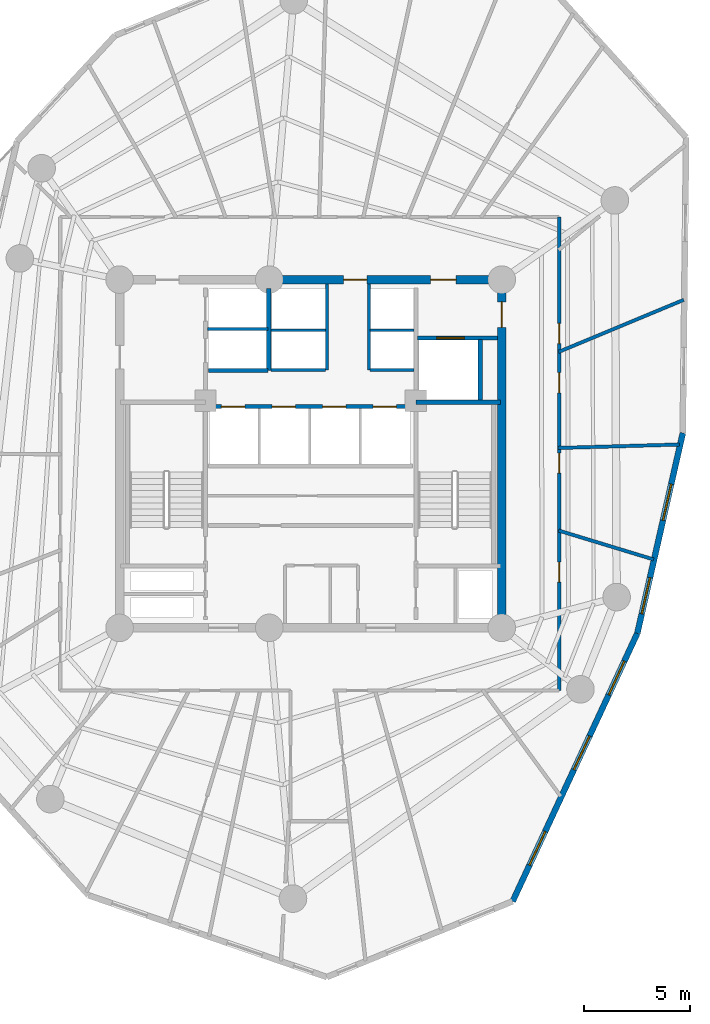
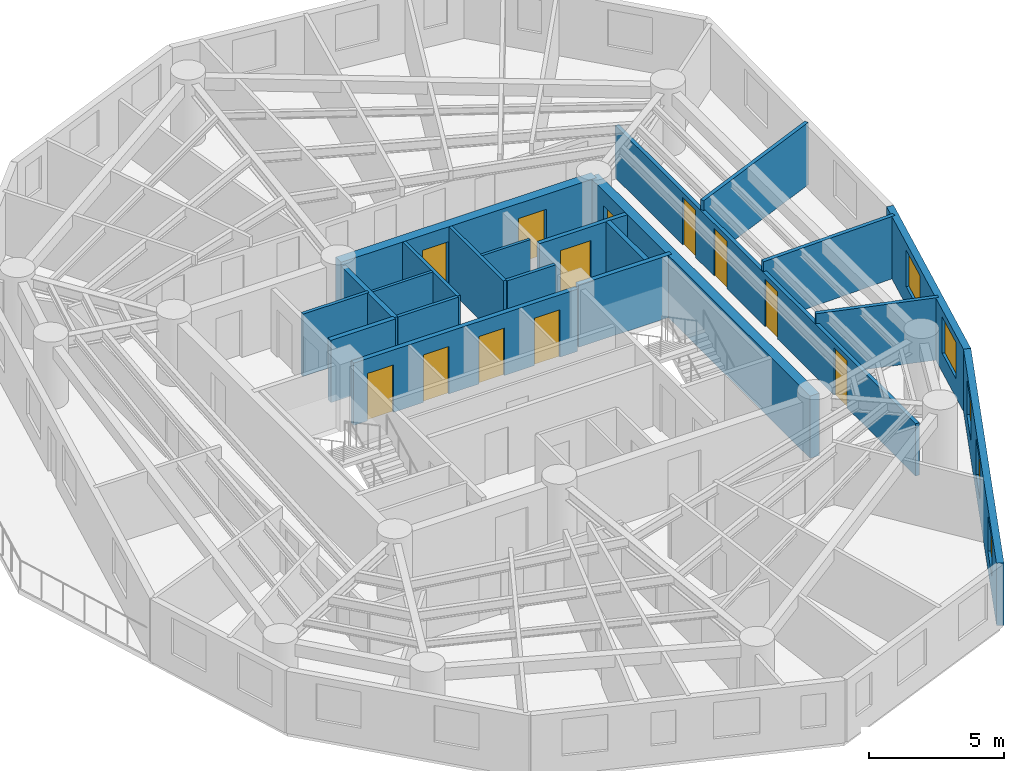
# One storey, part 5 of 9: 21 walls, 12 doors, 5 windows, 17 openings.
"""IFC4 building model written with IfcOpenShell, lengths in metres."""

from ifc_helpers import new_model, si_unit, direction, frame, frame_2d, origin, origin_with_axes, place, context, subcontext, project, spatial, rectangle, extrude, source, transform, mapped, material, layer, layer_set, type_object, element, fill, save


model = new_model("IFC4")

# Units and contexts
model_context = context("Model", 3, precision=1e-05, world=origin(), true_north=direction((0.0, 1.0)))
body_context = subcontext(model_context, "Body", "Model", "MODEL_VIEW")
ifc_project = project(units=[si_unit("LENGTHUNIT", "METRE"), si_unit("AREAUNIT", "SQUARE_METRE"), si_unit("VOLUMEUNIT", "CUBIC_METRE"), si_unit("PLANEANGLEUNIT", "RADIAN"), si_unit("MASSUNIT", "GRAM", prefix="KILO")], contexts=[model_context])

# Site, building, storey
site_placement = place(None, origin())
site = spatial("IfcSite", under=ifc_project, at=site_placement, CompositionType="ELEMENT")
building_placement = place(site_placement, origin())
building = spatial("IfcBuilding", under=site, at=building_placement, Name="Karkom Vertical University and Central Library", CompositionType="ELEMENT")
storey_placement = place(building_placement, frame((0.0, 0.0, 156.550048828125)))
storey = spatial("IfcBuildingStorey", under=building, at=storey_placement, Name="L44", CompositionType="ELEMENT", Elevation=156.550048828125)

# Wall, openings, windows
ifc_material_1 = material(Name="Brick-faced precast concrete C45/55", Category="masonry")
ifc_layer_1 = layer(ifc_material_1, 0.280029296875)
ifc_layer_set_1 = layer_set([ifc_layer_1], Name="Brick-faced precast concrete C45/55")
wall_type_1 = type_object("IfcWallType", Name="ENV-WL-BRK-280", PredefinedType="SOLIDWALL", material=ifc_layer_set_1)
wall_1_placement = place(storey_placement, frame((38.01171875, 5.41748046875, 0.0), z_axis=(0.0, 0.0, 1.0), x_axis=(0.421677791248, 0.906745741853, 0.0)))
wall_1 = element("IfcWall", 1, at=wall_1_placement, inside=storey, type_object=wall_type_1, Name="Level 44 Brick-Faced Precast Facade Wall 05", PredefinedType="SOLIDWALL", context=body_context, shape_type="SweptSolid", body=[
    extrude(rectangle(XDim=13.9267578125, YDim=0.280029296875, at=frame_2d((6.96337890625, 0.0))), origin(), (0.0, 0.0, 1.0), 2.824951171875),
])
opening_1_placement = place(wall_1_placement, frame((1.88427734375, 0.0, 0.85009765625)))
opening_1 = element("IfcOpeningElement", 2, at=opening_1_placement, cuts=wall_1, Name="Opening WN-08", PredefinedType="OPENING", context=body_context, shape_type="SweptSolid", body=[
    extrude(rectangle(XDim=1.75, YDim=1.64990234375, at=frame_2d((0.875, 0.824951171875))), frame((0.0, 0.14990234375, 0.0), z_axis=(0.0, -1.0, 0.0), x_axis=(1.0, 0.0, 0.0)), (0.0, 0.0, 1.0), 0.300048828125),
])
opening_2_placement = place(wall_1_placement, frame((6.845703125, 0.0, 0.85009765625)))
opening_2 = element("IfcOpeningElement", 3, at=opening_2_placement, cuts=wall_1, Name="Opening WN-08", PredefinedType="OPENING", context=body_context, shape_type="SweptSolid", body=[
    extrude(rectangle(XDim=1.75, YDim=1.64990234375, at=frame_2d((0.875, 0.824951171875))), frame((0.0, 0.14990234375, 0.0), z_axis=(0.0, -1.0, 0.0), x_axis=(1.0, 0.0, 0.0)), (0.0, 0.0, 1.0), 0.300048828125),
])
opening_3_placement = place(wall_1_placement, frame((10.7294921875, 0.0, 0.85009765625)))
opening_3 = element("IfcOpeningElement", 4, at=opening_3_placement, cuts=wall_1, Name="Opening WN-08", PredefinedType="OPENING", context=body_context, shape_type="SweptSolid", body=[
    extrude(rectangle(XDim=1.75, YDim=1.64990234375, at=frame_2d((0.875, 0.824951171875))), frame((0.0, 0.14990234375, 0.0), z_axis=(0.0, -1.0, 0.0), x_axis=(1.0, 0.0, 0.0)), (0.0, 0.0, 1.0), 0.300048828125),
])
ifc_material_2 = material(Name="Aluminium thermal-break frame with solar-control IGU", Category="aluminium")
window_type = type_object("IfcWindowType", Name="ENV-WIN-WN-08", PartitioningType="SINGLE_PANEL", PredefinedType="WINDOW", material=ifc_material_2)
shared_shape_1 = source(origin_with_axes(), body_context, "Body", "SweptSolid", [
    extrude(rectangle(XDim=1.75, YDim=1.64990234375, at=frame_2d((0.875, 0.824951171875))), frame((0.0, 0.030029296875, 0.0), z_axis=(0.0, -1.0, 0.0), x_axis=(1.0, 0.0, 0.0)), (0.0, 0.0, 1.0), 0.06005859375),
])
window_1_placement = place(opening_1_placement, origin())
window_1 = element("IfcWindow", 5, at=window_1_placement, inside=storey, type_object=window_type, Name="Level 44 Punched Window 5.1", OverallHeight=1.64990234375, OverallWidth=1.75, PartitioningType="SINGLE_PANEL", PredefinedType="WINDOW", context=body_context, shape_type="MappedRepresentation", body=[
    mapped(shared_shape_1, transform((0.0, 0.0, 0.0), scale=1.0)),
])
fill(opening_1, window_1)
window_2_placement = place(opening_2_placement, origin())
window_2 = element("IfcWindow", 6, at=window_2_placement, inside=storey, type_object=window_type, Name="Level 44 Punched Window 5.2", OverallHeight=1.64990234375, OverallWidth=1.75, PartitioningType="SINGLE_PANEL", PredefinedType="WINDOW", context=body_context, shape_type="MappedRepresentation", body=[
    mapped(shared_shape_1, transform((0.0, 0.0, 0.0), scale=1.0)),
])
fill(opening_2, window_2)
window_3_placement = place(opening_3_placement, origin())
window_3 = element("IfcWindow", 7, at=window_3_placement, inside=storey, type_object=window_type, Name="Level 44 Punched Window 5.3", OverallHeight=1.64990234375, OverallWidth=1.75, PartitioningType="SINGLE_PANEL", PredefinedType="WINDOW", context=body_context, shape_type="MappedRepresentation", body=[
    mapped(shared_shape_1, transform((0.0, 0.0, 0.0), scale=1.0)),
])
fill(opening_3, window_3)

wall_2_placement = place(storey_placement, frame((43.88427734375, 18.04541015625, 0.0), z_axis=(0.0, 0.0, 1.0), x_axis=(0.221543643077, 0.975150457218, 0.0)))
wall_2 = element("IfcWall", 8, at=wall_2_placement, inside=storey, type_object=wall_type_1, Name="Level 44 Brick-Faced Precast Facade Wall 06", PredefinedType="SOLIDWALL", context=body_context, shape_type="SweptSolid", body=[
    extrude(rectangle(XDim=9.672119140625, YDim=0.280029296875, at=frame_2d((4.8359375, 0.0))), origin(), (0.0, 0.0, 1.0), 2.824951171875),
])
opening_4_placement = place(wall_2_placement, frame((0.935791015625, 0.0, 0.85009765625)))
opening_4 = element("IfcOpeningElement", 9, at=opening_4_placement, cuts=wall_2, Name="Opening WN-08", PredefinedType="OPENING", context=body_context, shape_type="SweptSolid", body=[
    extrude(rectangle(XDim=1.75, YDim=1.64990234375, at=frame_2d((0.875, 0.824951171875))), frame((0.0, 0.14990234375, 0.0), z_axis=(0.0, -1.0, 0.0), x_axis=(1.0, 0.0, 0.0)), (0.0, 0.0, 1.0), 0.300048828125),
])
opening_5_placement = place(wall_2_placement, frame((5.456298828125, 0.0, 0.85009765625)))
opening_5 = element("IfcOpeningElement", 10, at=opening_5_placement, cuts=wall_2, Name="Opening WN-08", PredefinedType="OPENING", context=body_context, shape_type="SweptSolid", body=[
    extrude(rectangle(XDim=1.75, YDim=1.64990234375, at=frame_2d((0.875, 0.824951171875))), frame((0.0, 0.14990234375, 0.0), z_axis=(0.0, -1.0, 0.0), x_axis=(1.0, 0.0, 0.0)), (0.0, 0.0, 1.0), 0.300048828125),
])
window_4_placement = place(opening_4_placement, origin())
window_4 = element("IfcWindow", 11, at=window_4_placement, inside=storey, type_object=window_type, Name="Level 44 Punched Window 6.1", OverallHeight=1.64990234375, OverallWidth=1.75, PartitioningType="SINGLE_PANEL", PredefinedType="WINDOW", context=body_context, shape_type="MappedRepresentation", body=[
    mapped(shared_shape_1, transform((0.0, 0.0, 0.0), scale=1.0)),
])
fill(opening_4, window_4)
window_5_placement = place(opening_5_placement, origin())
window_5 = element("IfcWindow", 12, at=window_5_placement, inside=storey, type_object=window_type, Name="Level 44 Punched Window 6.2", OverallHeight=1.64990234375, OverallWidth=1.75, PartitioningType="SINGLE_PANEL", PredefinedType="WINDOW", context=body_context, shape_type="MappedRepresentation", body=[
    mapped(shared_shape_1, transform((0.0, 0.0, 0.0), scale=1.0)),
])
fill(opening_5, window_5)

# Wall, openings, doors
ifc_material_3 = material(Name="Insulated metal-stud drywall 160mm", Category="gypsum")
ifc_layer_2 = layer(ifc_material_3, 0.159912109375)
ifc_layer_set_2 = layer_set([ifc_layer_2], Name="Insulated metal-stud drywall 160mm")
wall_type_2 = type_object("IfcWallType", Name="INT-WL-COR-160", PredefinedType="PARTITIONING", material=ifc_layer_set_2)
wall_3_placement = place(storey_placement, frame((40.199951171875, 37.64990234375, 0.0), z_axis=(0.0, 0.0, 1.0), x_axis=(0.0, -1.0, 0.0)))
wall_3 = element("IfcWall", 13, at=wall_3_placement, inside=storey, type_object=wall_type_2, Name="Level 44 Interior Partition Wall L44-CORW-CW-004", PredefinedType="PARTITIONING", context=body_context, shape_type="SweptSolid", body=[
    extrude(rectangle(XDim=22.2998046875, YDim=0.159912109375, at=frame_2d((11.14990234375, 0.0))), origin(), (0.0, 0.0, 1.0), 2.375),
])
opening_6_placement = place(wall_3_placement, frame((16.25, 0.0, 0.0)))
opening_6 = element("IfcOpeningElement", 14, at=opening_6_placement, cuts=wall_3, Name="Opening D-RM1", PredefinedType="OPENING", context=body_context, shape_type="SweptSolid", body=[
    extrude(rectangle(XDim=0.949951171875, YDim=2.14990234375, at=frame_2d((0.47509765625, 1.074951171875))), frame((0.0, 0.08984375, 0.0), z_axis=(0.0, -1.0, 0.0), x_axis=(1.0, 0.0, 0.0)), (0.0, 0.0, 1.0), 0.179931640625),
])
opening_7_placement = place(wall_3_placement, frame((11.114990234375, 0.0, 0.0)))
opening_7 = element("IfcOpeningElement", 15, at=opening_7_placement, cuts=wall_3, Name="Opening D-RM1", PredefinedType="OPENING", context=body_context, shape_type="SweptSolid", body=[
    extrude(rectangle(XDim=0.949951171875, YDim=2.14990234375, at=frame_2d((0.47509765625, 1.074951171875))), frame((0.0, 0.08984375, 0.0), z_axis=(0.0, -1.0, 0.0), x_axis=(1.0, 0.0, 0.0)), (0.0, 0.0, 1.0), 0.179931640625),
])
opening_8_placement = place(wall_3_placement, frame((7.330078125, 0.0, 0.0)))
opening_8 = element("IfcOpeningElement", 16, at=opening_8_placement, cuts=wall_3, Name="Opening D-RM1", PredefinedType="OPENING", context=body_context, shape_type="SweptSolid", body=[
    extrude(rectangle(XDim=0.949951171875, YDim=2.14990234375, at=frame_2d((0.47509765625, 1.074951171875))), frame((0.0, 0.08984375, 0.0), z_axis=(0.0, -1.0, 0.0), x_axis=(1.0, 0.0, 0.0)), (0.0, 0.0, 1.0), 0.179931640625),
])
opening_9_placement = place(wall_3_placement, frame((5.010009765625, 0.0, 0.0)))
opening_9 = element("IfcOpeningElement", 17, at=opening_9_placement, cuts=wall_3, Name="Opening D-RM1", PredefinedType="OPENING", context=body_context, shape_type="SweptSolid", body=[
    extrude(rectangle(XDim=0.949951171875, YDim=2.14990234375, at=frame_2d((0.47509765625, 1.074951171875))), frame((0.0, 0.08984375, 0.0), z_axis=(0.0, -1.0, 0.0), x_axis=(1.0, 0.0, 0.0)), (0.0, 0.0, 1.0), 0.179931640625),
])
ifc_material_4 = material(Name="Solid-core oak veneer door", Category="wood")
door_type_1 = type_object("IfcDoorType", Name="INT-DR-RM1", OperationType="NOTDEFINED", PredefinedType="DOOR", material=ifc_material_4)
shared_shape_2 = source(origin_with_axes(), body_context, "Body", "SweptSolid", [
    extrude(rectangle(XDim=0.949951171875, YDim=2.14990234375, at=frame_2d((0.47509765625, 1.074951171875))), frame((0.0, 0.02490234375, 0.0), z_axis=(0.0, -1.0, 0.0), x_axis=(1.0, 0.0, 0.0)), (0.0, 0.0, 1.0), 0.050048828125),
])
door_1_placement = place(opening_6_placement, origin())
door_1 = element("IfcDoor", 18, at=door_1_placement, inside=storey, type_object=door_type_1, Name="Level 44 Room Entry Door 100", OperationType="SINGLE_SWING_RIGHT", OverallHeight=2.14990234375, OverallWidth=0.949951171875, PredefinedType="DOOR", context=body_context, shape_type="MappedRepresentation", body=[
    mapped(shared_shape_2, transform((0.0, 0.0, 0.0), scale=1.0)),
])
fill(opening_6, door_1)
door_2_placement = place(opening_7_placement, origin())
door_2 = element("IfcDoor", 19, at=door_2_placement, inside=storey, type_object=door_type_1, Name="Level 44 Room Entry Door 110", OperationType="SINGLE_SWING_LEFT", OverallHeight=2.14990234375, OverallWidth=0.949951171875, PredefinedType="DOOR", context=body_context, shape_type="MappedRepresentation", body=[
    mapped(shared_shape_2, transform((0.0, 0.0, 0.0), scale=1.0)),
])
fill(opening_7, door_2)
door_3_placement = place(opening_8_placement, origin())
door_3 = element("IfcDoor", 20, at=door_3_placement, inside=storey, type_object=door_type_1, Name="Level 44 Room Entry Door 120", OperationType="SINGLE_SWING_RIGHT", OverallHeight=2.14990234375, OverallWidth=0.949951171875, PredefinedType="DOOR", context=body_context, shape_type="MappedRepresentation", body=[
    mapped(shared_shape_2, transform((0.0, 0.0, 0.0), scale=1.0)),
])
fill(opening_8, door_3)
door_4_placement = place(opening_9_placement, origin())
door_4 = element("IfcDoor", 21, at=door_4_placement, inside=storey, type_object=door_type_1, Name="Level 44 Room Entry Door 130", OperationType="SINGLE_SWING_LEFT", OverallHeight=2.14990234375, OverallWidth=0.949951171875, PredefinedType="DOOR", context=body_context, shape_type="MappedRepresentation", body=[
    mapped(shared_shape_2, transform((0.0, 0.0, 0.0), scale=1.0)),
])
fill(opening_9, door_4)

# Walls
wall_4_placement = place(storey_placement, frame((40.17236328125, 31.293212890625, 0.0), z_axis=(0.0, 0.0, 1.0), x_axis=(0.923236300971, 0.38423265422, 0.0)))
element("IfcWall", 22, at=wall_4_placement, inside=storey, type_object=wall_type_2, Name="Level 44 Interior Partition Wall L44-PW-015", PredefinedType="PARTITIONING", context=body_context, shape_type="SweptSolid", body=[
    extrude(rectangle(XDim=6.386962890625, YDim=0.159912109375, at=frame_2d((3.193359375, 0.0))), origin(), (0.0, 0.0, 1.0), 2.824951171875),
])
wall_5_placement = place(storey_placement, frame((40.155029296875, 26.771484375, 0.0), z_axis=(0.0, 0.0, 1.0), x_axis=(0.999595142598, 0.028452607866, 0.0)))
element("IfcWall", 23, at=wall_5_placement, inside=storey, type_object=wall_type_2, Name="Level 44 Interior Partition Wall L44-PW-014", PredefinedType="PARTITIONING", context=body_context, shape_type="SweptSolid", body=[
    extrude(rectangle(XDim=5.72314453125, YDim=0.159912109375, at=frame_2d((2.861572265625, 0.0))), origin(), (0.0, 0.0, 1.0), 2.824951171875),
])
wall_6_placement = place(storey_placement, frame((40.17138671875, 22.884765625, 0.0), z_axis=(0.0, 0.0, 1.0), x_axis=(0.956656819461, -0.291217667352, 0.0)))
element("IfcWall", 24, at=wall_6_placement, inside=storey, type_object=wall_type_2, Name="Level 44 Interior Partition Wall L44-PW-013", PredefinedType="PARTITIONING", context=body_context, shape_type="SweptSolid", body=[
    extrude(rectangle(XDim=4.6796875, YDim=0.159912109375, at=frame_2d((2.33984375, 0.0))), origin(), (0.0, 0.0, 1.0), 2.824951171875),
])
ifc_material_5 = material(Name="Moisture-resistant drywall 120mm", Category="gypsum")
ifc_layer_3 = layer(ifc_material_5, 0.1201171875)
ifc_layer_set_3 = layer_set([ifc_layer_3], Name="Moisture-resistant drywall 120mm")
wall_type_3 = type_object("IfcWallType", Name="INT-WL-INT-120H", PredefinedType="PARTITIONING", material=ifc_layer_set_3)
wall_7_placement = place(storey_placement, frame((26.6201171875, 32.320068359375, 0.0), z_axis=(0.0, 0.0, 1.0), x_axis=(1.0, 0.0, 0.0)))
element("IfcWall", 25, at=wall_7_placement, inside=storey, type_object=wall_type_3, Name="Level 44 Interior Partition Wall L44-CW-PH-MW", PredefinedType="PARTITIONING", context=body_context, shape_type="SweptSolid", body=[
    extrude(rectangle(XDim=2.579833984375, YDim=0.1201171875, at=frame_2d((1.2900390625, 0.0))), origin(), (0.0, 0.0, 1.0), 2.824951171875),
])
wall_8_placement = place(storey_placement, frame((31.300048828125, 32.320068359375, 0.0), z_axis=(0.0, 0.0, 1.0), x_axis=(1.0, 0.0, 0.0)))
element("IfcWall", 26, at=wall_8_placement, inside=storey, type_object=wall_type_3, Name="Level 44 Interior Partition Wall L44-CW-PH-ME", PredefinedType="PARTITIONING", context=body_context, shape_type="SweptSolid", body=[
    extrude(rectangle(XDim=2.074951171875, YDim=0.1201171875, at=frame_2d((1.03759765625, 0.0))), origin(), (0.0, 0.0, 1.0), 2.824951171875),
])
ifc_material_6 = material(Name="Metal-stud gypsum partition 140mm", Category="gypsum")
ifc_layer_4 = layer(ifc_material_6, 0.139892578125)
ifc_layer_set_4 = layer_set([ifc_layer_4], Name="Metal-stud gypsum partition 140mm")
wall_type_4 = type_object("IfcWallType", Name="INT-WL-SUB-140H", PredefinedType="PARTITIONING", material=ifc_layer_set_4)
for number, where, z_axis, x_axis, name in (
    (27, (29.260009765625, 30.449951171875, 0.0), (0.0, 0.0, 1.0), (0.0, 1.0, 0.0), "Level 44 Interior Partition Wall L44-CW-PH-W"),
    (28, (31.239990234375, 30.449951171875, 0.0), (0.0, 0.0, 1.0), (0.0, 1.0, 0.0), "Level 44 Interior Partition Wall L44-CW-PH-E"),
):
    element("IfcWall", number, at=place(storey_placement, frame(where, z_axis=z_axis, x_axis=x_axis)), inside=storey, type_object=wall_type_4, Name=name, PredefinedType="PARTITIONING", context=body_context, shape_type="SweptSolid", body=[
        extrude(rectangle(XDim=4.04296875, YDim=0.139892578125, at=frame_2d((2.021484375, 0.0))), origin(), (0.0, 0.0, 1.0), 2.824951171875),
    ])
wall_9_placement = place(storey_placement, frame((26.6201171875, 30.449951171875, 0.0), z_axis=(0.0, 0.0, 1.0), x_axis=(1.0, 0.0, 0.0)))
element("IfcWall", 29, at=wall_9_placement, inside=storey, type_object=wall_type_4, Name="Level 44 Interior Partition Wall L44-CW-PH-S1", PredefinedType="PARTITIONING", context=body_context, shape_type="SweptSolid", body=[
    extrude(rectangle(XDim=2.579833984375, YDim=0.139892578125, at=frame_2d((1.2900390625, 0.0))), origin(), (0.0, 0.0, 1.0), 2.824951171875),
])
wall_10_placement = place(storey_placement, frame((31.300048828125, 30.449951171875, 0.0), z_axis=(0.0, 0.0, 1.0), x_axis=(1.0, 0.0, 0.0)))
element("IfcWall", 30, at=wall_10_placement, inside=storey, type_object=wall_type_4, Name="Level 44 Interior Partition Wall L44-CW-PH-S2", PredefinedType="PARTITIONING", context=body_context, shape_type="SweptSolid", body=[
    extrude(rectangle(XDim=2.074951171875, YDim=0.139892578125, at=frame_2d((1.03759765625, 0.0))), origin(), (0.0, 0.0, 1.0), 2.824951171875),
])
ifc_layer_5 = layer(ifc_material_6, 0.139892578125)
ifc_layer_set_5 = layer_set([ifc_layer_5], Name="Metal-stud gypsum partition 140mm")
wall_type_5 = type_object("IfcWallType", Name="INT-WL-SUB-140X", PredefinedType="PARTITIONING", material=ifc_layer_set_5)
wall_11_placement = place(storey_placement, frame((23.652099609375, 32.3701171875, 0.0), z_axis=(0.0, 0.0, 1.0), x_axis=(1.0, 0.0, 0.0)))
element("IfcWall", 31, at=wall_11_placement, inside=storey, type_object=wall_type_5, Name="Level 44 Interior Partition Wall L44-CW-FFL-M", PredefinedType="PARTITIONING", context=body_context, shape_type="SweptSolid", body=[
    extrude(rectangle(XDim=2.827880859375, YDim=0.139892578125, at=frame_2d((1.4140625, 0.0))), origin(), (0.0, 0.0, 1.0), 2.824951171875),
])

# Wall, opening, door
ifc_material_7 = material(Name="Twin-stud acoustic drywall 180mm", Category="gypsum")
ifc_layer_6 = layer(ifc_material_7, 0.179931640625)
ifc_layer_set_6 = layer_set([ifc_layer_6], Name="Twin-stud acoustic drywall 180mm")
wall_type_6 = type_object("IfcWallType", Name="INT-WL-TEN-180F", PredefinedType="PARTITIONING", material=ifc_layer_set_6)
wall_12_placement = place(storey_placement, frame((33.534912109375, 31.949951171875, 0.0), z_axis=(0.0, 0.0, 1.0), x_axis=(1.0, 0.0, 0.0)))
wall_12 = element("IfcWall", 32, at=wall_12_placement, inside=storey, type_object=wall_type_6, Name="Level 44 Interior Partition Wall L44-CW-SVL-N", PredefinedType="PARTITIONING", context=body_context, shape_type="SweptSolid", body=[
    extrude(rectangle(XDim=3.7587890625, YDim=0.179931640625, at=frame_2d((1.87939453125, 0.0))), origin(), (0.0, 0.0, 1.0), 2.824951171875),
])
opening_10_placement = place(wall_12_placement, frame((0.89990234375, 0.0, 0.0)))
opening_10 = element("IfcOpeningElement", 33, at=opening_10_placement, cuts=wall_12, Name="Opening LD-SV1", PredefinedType="OPENING", context=body_context, shape_type="SweptSolid", body=[
    extrude(rectangle(XDim=1.300048828125, YDim=2.199951171875, at=frame_2d((0.64990234375, 1.10009765625))), frame((0.0, 0.10009765625, 0.0), z_axis=(0.0, -1.0, 0.0), x_axis=(1.0, 0.0, 0.0)), (0.0, 0.0, 1.0), 0.199951171875),
])
ifc_material_8 = material(Name="Brushed stainless-steel landing door", Category="steel")
door_type_2 = type_object("IfcDoorType", Name="INT-DR-LD-SV1", OperationType="SLIDING_TO_LEFT", PredefinedType="DOOR", material=ifc_material_8)
shared_shape_3 = source(origin_with_axes(), body_context, "Body", "SweptSolid", [
    extrude(rectangle(XDim=1.300048828125, YDim=2.199951171875, at=frame_2d((0.64990234375, 1.10009765625))), frame((0.0, 0.02490234375, 0.0), z_axis=(0.0, -1.0, 0.0), x_axis=(1.0, 0.0, 0.0)), (0.0, 0.0, 1.0), 0.050048828125),
])
door_5_placement = place(opening_10_placement, origin())
door_5 = element("IfcDoor", 34, at=door_5_placement, inside=storey, type_object=door_type_2, Name="Level 44 Service Lift Landing Door LD-SV1", OperationType="SLIDING_TO_LEFT", OverallHeight=2.199951171875, OverallWidth=1.300048828125, PredefinedType="DOOR", context=body_context, shape_type="MappedRepresentation", body=[
    mapped(shared_shape_3, transform((0.0, 0.0, 0.0), scale=1.0)),
])
fill(opening_10, door_5)

ifc_material_9 = material(Name="Concrete C50/60", Category="concrete")
ifc_layer_7 = layer(ifc_material_9, 0.39990234375)
ifc_layer_set_7 = layer_set([ifc_layer_7], Name="Concrete C50/60")
wall_type_7 = type_object("IfcWallType", Name="STR-WL-CW-400", PredefinedType="SHEAR", material=ifc_layer_set_7)
wall_13_placement = place(storey_placement, frame((37.5, 18.300048828125, 0.0), z_axis=(0.0, 0.0, 1.0), x_axis=(0.0, 1.0, 0.0)))
wall_13 = element("IfcWall", 35, at=wall_13_placement, inside=storey, type_object=wall_type_7, Name="Level 44 Central Core Shear Wall EW", PredefinedType="SHEAR", context=body_context, shape_type="SweptSolid", body=[
    extrude(rectangle(XDim=16.39990234375, YDim=0.39990234375, at=frame_2d((8.199951171875, 0.0))), origin(), (0.0, 0.0, 1.0), 2.824951171875),
])
opening_11_placement = place(wall_13_placement, frame((14.14990234375, 0.0, 0.0)))
opening_11 = element("IfcOpeningElement", 36, at=opening_11_placement, cuts=wall_13, Name="Opening FD-SUB1", PredefinedType="OPENING", context=body_context, shape_type="SweptSolid", body=[
    extrude(rectangle(XDim=1.199951171875, YDim=2.14990234375, at=frame_2d((0.60009765625, 1.074951171875))), frame((0.0, 0.2099609375, 0.0), z_axis=(0.0, -1.0, 0.0), x_axis=(1.0, 0.0, 0.0)), (0.0, 0.0, 1.0), 0.419921875),
])
ifc_material_10 = material(Name="Painted steel fire door", Category="steel")
door_type_3 = type_object("IfcDoorType", Name="INT-DR-SUB1", OperationType="NOTDEFINED", PredefinedType="DOOR", material=ifc_material_10)
shared_shape_4 = source(origin_with_axes(), body_context, "Body", "SweptSolid", [
    extrude(rectangle(XDim=1.199951171875, YDim=2.14990234375, at=frame_2d((0.60009765625, 1.074951171875))), frame((0.0, 0.02490234375, 0.0), z_axis=(0.0, -1.0, 0.0), x_axis=(1.0, 0.0, 0.0)), (0.0, 0.0, 1.0), 0.050048828125),
])
door_6_placement = place(opening_11_placement, origin())
door_6 = element("IfcDoor", 37, at=door_6_placement, inside=storey, type_object=door_type_3, Name="Level 44 East Corridor Service Lobby Door", OperationType="SINGLE_SWING_LEFT", OverallHeight=2.14990234375, OverallWidth=1.199951171875, PredefinedType="DOOR", context=body_context, shape_type="MappedRepresentation", body=[
    mapped(shared_shape_4, transform((0.0, 0.0, 0.0), scale=1.0)),
])
fill(opening_11, door_6)

# Wall, openings, doors
wall_14_placement = place(storey_placement, frame((37.5, 34.699951171875, 0.0), z_axis=(0.0, 0.0, 1.0), x_axis=(-1.0, 0.0, 0.0)))
wall_14 = element("IfcWall", 38, at=wall_14_placement, inside=storey, type_object=wall_type_7, Name="Level 44 Central Core Shear Wall NW1", PredefinedType="SHEAR", context=body_context, shape_type="SweptSolid", body=[
    extrude(rectangle(XDim=10.949951171875, YDim=0.39990234375, at=frame_2d((5.47509765625, 0.0))), origin(), (0.0, 0.0, 1.0), 2.824951171875),
])
opening_12_placement = place(wall_14_placement, frame((2.14990234375, 0.0, 0.0)))
opening_12 = element("IfcOpeningElement", 39, at=opening_12_placement, cuts=wall_14, Name="Opening FD-SUB1", PredefinedType="OPENING", context=body_context, shape_type="SweptSolid", body=[
    extrude(rectangle(XDim=1.199951171875, YDim=2.14990234375, at=frame_2d((0.60009765625, 1.074951171875))), frame((0.0, 0.2099609375, 0.0), z_axis=(0.0, -1.0, 0.0), x_axis=(1.0, 0.0, 0.0)), (0.0, 0.0, 1.0), 0.419921875),
])
opening_13_placement = place(wall_14_placement, frame((6.35009765625, 0.0, 0.0)))
opening_13 = element("IfcOpeningElement", 40, at=opening_13_placement, cuts=wall_14, Name="Opening FD-FFL", PredefinedType="OPENING", context=body_context, shape_type="SweptSolid", body=[
    extrude(rectangle(XDim=1.10009765625, YDim=2.14990234375, at=frame_2d((0.550048828125, 1.074951171875))), frame((0.0, 0.2099609375, 0.0), z_axis=(0.0, -1.0, 0.0), x_axis=(1.0, 0.0, 0.0)), (0.0, 0.0, 1.0), 0.419921875),
])
ifc_material_11 = material(Name="Painted steel smoke-seal fire door", Category="steel")
door_type_4 = type_object("IfcDoorType", Name="INT-DR-FFL", OperationType="NOTDEFINED", PredefinedType="DOOR", material=ifc_material_11)
shared_shape_5 = source(origin_with_axes(), body_context, "Body", "SweptSolid", [
    extrude(rectangle(XDim=1.10009765625, YDim=2.14990234375, at=frame_2d((0.550048828125, 1.074951171875))), frame((0.0, 0.02490234375, 0.0), z_axis=(0.0, -1.0, 0.0), x_axis=(1.0, 0.0, 0.0)), (0.0, 0.0, 1.0), 0.050048828125),
])
door_7_placement = place(opening_13_placement, origin())
door_7 = element("IfcDoor", 41, at=door_7_placement, inside=storey, type_object=door_type_4, Name="Level 44 North Core Lobby Exit Door", OperationType="SINGLE_SWING_RIGHT", OverallHeight=2.14990234375, OverallWidth=1.10009765625, PredefinedType="DOOR", context=body_context, shape_type="MappedRepresentation", body=[
    mapped(shared_shape_5, transform((0.0, 0.0, 0.0), scale=1.0)),
])
fill(opening_13, door_7)
door_8_placement = place(opening_12_placement, origin())
door_8 = element("IfcDoor", 42, at=door_8_placement, inside=storey, type_object=door_type_3, Name="Level 44 Service Lobby Fire Door", OperationType="SINGLE_SWING_RIGHT", OverallHeight=2.14990234375, OverallWidth=1.199951171875, PredefinedType="DOOR", context=body_context, shape_type="MappedRepresentation", body=[
    mapped(shared_shape_4, transform((0.0, 0.0, 0.0), scale=1.0)),
])
fill(opening_12, door_8)

ifc_material_12 = material(Name="Concrete C45/55", Category="concrete")
ifc_layer_8 = layer(ifc_material_12, 0.199951171875)
ifc_layer_set_8 = layer_set([ifc_layer_8], Name="Concrete C45/55")
wall_type_8 = type_object("IfcWallType", Name="STR-WL-ST-200", PredefinedType="SHEAR", material=ifc_layer_set_8)
wall_15_placement = place(storey_placement, frame((23.699951171875, 28.719970703125, 0.0), z_axis=(0.0, 0.0, 1.0), x_axis=(1.0, 0.0, 0.0)))
wall_15 = element("IfcWall", 43, at=wall_15_placement, inside=storey, type_object=wall_type_8, Name="Level 44 Core Shaft Wall L44-CW-B2-N", PredefinedType="SHEAR", context=body_context, shape_type="SweptSolid", body=[
    extrude(rectangle(XDim=9.60009765625, YDim=0.199951171875, at=frame_2d((4.800048828125, 0.0))), origin(), (0.0, 0.0, 1.0), 2.824951171875),
])
opening_14_placement = place(wall_15_placement, frame((0.60009765625, 0.0, 0.0)))
opening_14 = element("IfcOpeningElement", 44, at=opening_14_placement, cuts=wall_15, Name="Opening LD-PAX", PredefinedType="OPENING", context=body_context, shape_type="SweptSolid", body=[
    extrude(rectangle(XDim=1.10009765625, YDim=2.14990234375, at=frame_2d((0.550048828125, 1.074951171875))), frame((0.0, 0.10986328125, 0.0), z_axis=(0.0, -1.0, 0.0), x_axis=(1.0, 0.0, 0.0)), (0.0, 0.0, 1.0), 0.219970703125),
])
opening_15_placement = place(wall_15_placement, frame((2.97998046875, 0.0, 0.0)))
opening_15 = element("IfcOpeningElement", 45, at=opening_15_placement, cuts=wall_15, Name="Opening LD-PAX", PredefinedType="OPENING", context=body_context, shape_type="SweptSolid", body=[
    extrude(rectangle(XDim=1.10009765625, YDim=2.14990234375, at=frame_2d((0.550048828125, 1.074951171875))), frame((0.0, 0.10986328125, 0.0), z_axis=(0.0, -1.0, 0.0), x_axis=(1.0, 0.0, 0.0)), (0.0, 0.0, 1.0), 0.219970703125),
])
opening_16_placement = place(wall_15_placement, frame((5.360107421875, 0.0, 0.0)))
opening_16 = element("IfcOpeningElement", 46, at=opening_16_placement, cuts=wall_15, Name="Opening LD-PAX", PredefinedType="OPENING", context=body_context, shape_type="SweptSolid", body=[
    extrude(rectangle(XDim=1.10009765625, YDim=2.14990234375, at=frame_2d((0.550048828125, 1.074951171875))), frame((0.0, 0.10986328125, 0.0), z_axis=(0.0, -1.0, 0.0), x_axis=(1.0, 0.0, 0.0)), (0.0, 0.0, 1.0), 0.219970703125),
])
opening_17_placement = place(wall_15_placement, frame((7.739990234375, 0.0, 0.0)))
opening_17 = element("IfcOpeningElement", 47, at=opening_17_placement, cuts=wall_15, Name="Opening LD-PAX", PredefinedType="OPENING", context=body_context, shape_type="SweptSolid", body=[
    extrude(rectangle(XDim=1.10009765625, YDim=2.14990234375, at=frame_2d((0.550048828125, 1.074951171875))), frame((0.0, 0.10986328125, 0.0), z_axis=(0.0, -1.0, 0.0), x_axis=(1.0, 0.0, 0.0)), (0.0, 0.0, 1.0), 0.219970703125),
])
door_type_5 = type_object("IfcDoorType", Name="INT-DR-LD-PAX", OperationType="SLIDING_TO_LEFT", PredefinedType="DOOR", material=ifc_material_8)
door_9_placement = place(opening_14_placement, origin())
door_9 = element("IfcDoor", 48, at=door_9_placement, inside=storey, type_object=door_type_5, Name="Level 44 Lift PM-1 Landing Door", OperationType="SLIDING_TO_LEFT", OverallHeight=2.14990234375, OverallWidth=1.10009765625, PredefinedType="DOOR", context=body_context, shape_type="MappedRepresentation", body=[
    mapped(shared_shape_5, transform((0.0, 0.0, 0.0), scale=1.0)),
])
fill(opening_14, door_9)
door_10_placement = place(opening_15_placement, origin())
door_10 = element("IfcDoor", 49, at=door_10_placement, inside=storey, type_object=door_type_5, Name="Level 44 Lift PM-2 Landing Door", OperationType="SLIDING_TO_RIGHT", OverallHeight=2.14990234375, OverallWidth=1.10009765625, PredefinedType="DOOR", context=body_context, shape_type="MappedRepresentation", body=[
    mapped(shared_shape_5, transform((0.0, 0.0, 0.0), scale=1.0)),
])
fill(opening_15, door_10)
door_11_placement = place(opening_16_placement, origin())
door_11 = element("IfcDoor", 50, at=door_11_placement, inside=storey, type_object=door_type_5, Name="Level 44 Lift PM-3 Landing Door", OperationType="SLIDING_TO_LEFT", OverallHeight=2.14990234375, OverallWidth=1.10009765625, PredefinedType="DOOR", context=body_context, shape_type="MappedRepresentation", body=[
    mapped(shared_shape_5, transform((0.0, 0.0, 0.0), scale=1.0)),
])
fill(opening_16, door_11)
door_12_placement = place(opening_17_placement, origin())
door_12 = element("IfcDoor", 51, at=door_12_placement, inside=storey, type_object=door_type_5, Name="Level 44 Lift PM-4 Landing Door", OperationType="SLIDING_TO_RIGHT", OverallHeight=2.14990234375, OverallWidth=1.10009765625, PredefinedType="DOOR", context=body_context, shape_type="MappedRepresentation", body=[
    mapped(shared_shape_5, transform((0.0, 0.0, 0.0), scale=1.0)),
])
fill(opening_17, door_12)

# Walls
wall_16_placement = place(storey_placement, frame((33.455078125, 28.925048828125, 0.0), z_axis=(0.0, 0.0, 1.0), x_axis=(1.0, 0.0, 0.0)))
element("IfcWall", 52, at=wall_16_placement, inside=storey, type_object=wall_type_8, Name="Level 44 Core Shaft Wall L44-CW-ST2-N", PredefinedType="SHEAR", context=body_context, shape_type="SweptSolid", body=[
    extrude(rectangle(XDim=3.994873046875, YDim=0.199951171875, at=frame_2d((1.99755859375, 0.0))), origin(), (0.0, 0.0, 1.0), 2.824951171875),
])
wall_17_placement = place(storey_placement, frame((26.52001953125, 30.419921875, 0.0), z_axis=(0.0, 0.0, 1.0), x_axis=(0.0, 1.0, 0.0)))
element("IfcWall", 53, at=wall_17_placement, inside=storey, type_object=wall_type_8, Name="Level 44 Core Shaft Wall L44-CW-FFL-E", PredefinedType="SHEAR", context=body_context, shape_type="SweptSolid", body=[
    extrude(rectangle(XDim=3.860107421875, YDim=0.199951171875, at=frame_2d((1.93017578125, 0.0))), origin(), (0.0, 0.0, 1.0), 2.824951171875),
])
wall_18_placement = place(storey_placement, frame((36.47998046875, 29.02001953125, 0.0), z_axis=(0.0, 0.0, 1.0), x_axis=(0.0, 1.0, 0.0)))
element("IfcWall", 54, at=wall_18_placement, inside=storey, type_object=wall_type_8, Name="Level 44 Core Shaft Wall L44-CW-SVL-E", PredefinedType="SHEAR", context=body_context, shape_type="SweptSolid", body=[
    extrude(rectangle(XDim=2.85986328125, YDim=0.199951171875, at=frame_2d((1.429931640625, 0.0))), origin(), (0.0, 0.0, 1.0), 2.824951171875),
])
wall_19_placement = place(storey_placement, frame((23.699951171875, 30.419921875, 0.0), z_axis=(0.0, 0.0, 1.0), x_axis=(1.0, 0.0, 0.0)))
element("IfcWall", 55, at=wall_19_placement, inside=storey, type_object=wall_type_8, Name="Level 44 Core Shaft Wall L44-CW-FFL-S", PredefinedType="SHEAR", context=body_context, shape_type="SweptSolid", body=[
    extrude(rectangle(XDim=2.780029296875, YDim=0.199951171875, at=frame_2d((1.39013671875, 0.0))), origin(), (0.0, 0.0, 1.0), 2.824951171875),
])

save(model, "model.ifc")
